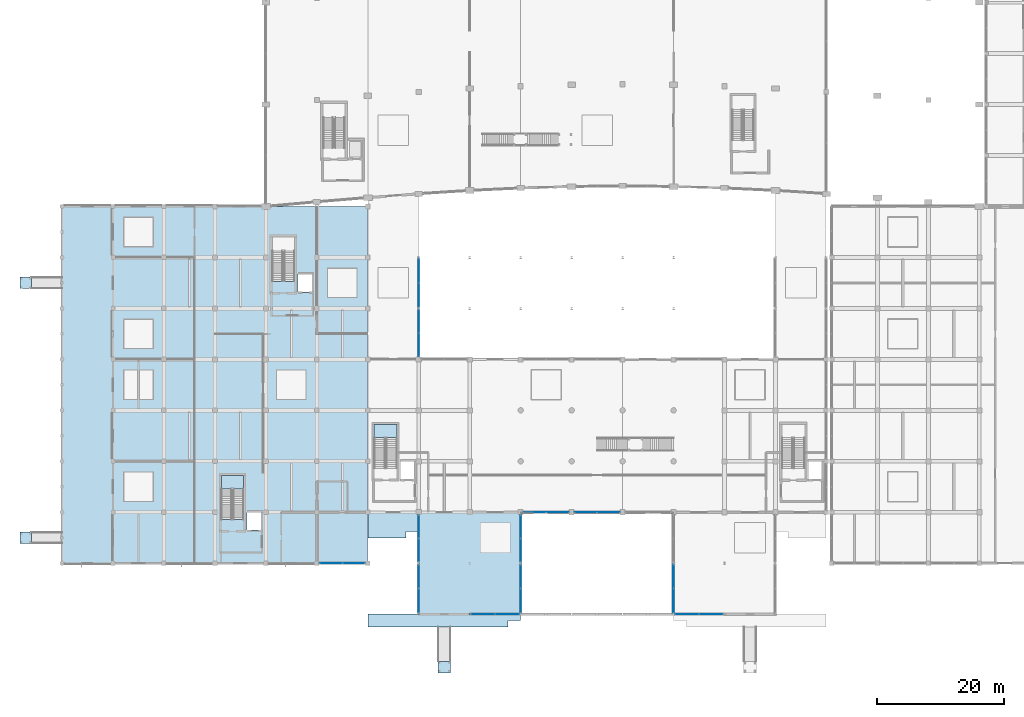
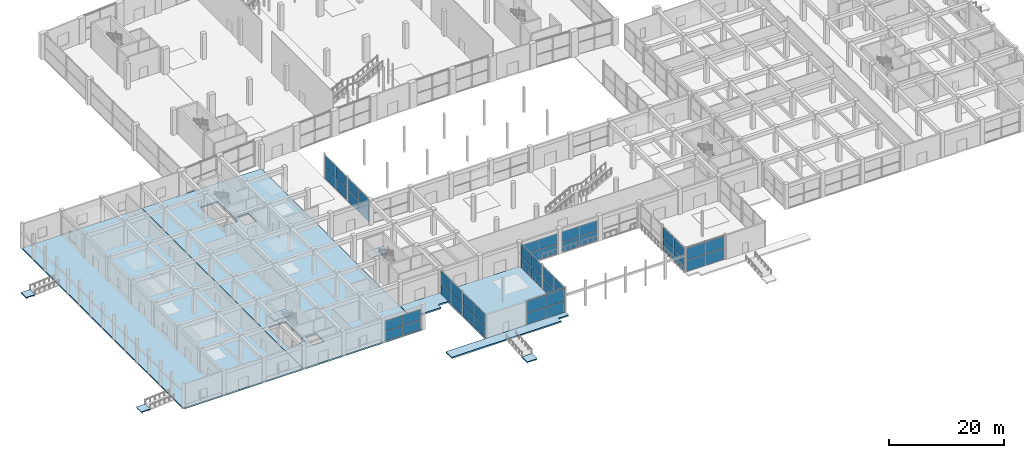
# One storey, part 48 of 86: 48 plates, 10 slabs, 17 elements without a shape of their own.
"""IFC4 building model written with IfcOpenShell, lengths in metres."""

from ifc_helpers import new_model, si_unit, direction, frame, origin, origin_2d, place, context, subcontext, project, spatial, polyline, rectangle, outline, extrude, material, layer, layer_set, type_object, element, aggregate, save


model = new_model("IFC4")

# Units and contexts
model_context = context("Model", 3, precision=1e-05, world=origin(), true_north=direction((0.0, 1.0)))
body_context = subcontext(model_context, "Body", "Model", "MODEL_VIEW")
ifc_project = project(units=[si_unit("LENGTHUNIT", "METRE"), si_unit("AREAUNIT", "SQUARE_METRE"), si_unit("VOLUMEUNIT", "CUBIC_METRE"), si_unit("PLANEANGLEUNIT", "RADIAN"), si_unit("MASSUNIT", "GRAM", prefix="KILO")], contexts=[model_context])

# Site, building, storey
site_placement = place(None, origin())
site = spatial("IfcSite", under=ifc_project, at=site_placement, CompositionType="ELEMENT")
building_placement = place(site_placement, origin())
building = spatial("IfcBuilding", under=site, at=building_placement, Name="Kenh Van Central Station", CompositionType="ELEMENT")
storey_placement = place(building_placement, origin())
storey = spatial("IfcBuildingStorey", under=building, at=storey_placement, Name="L00", CompositionType="ELEMENT", Elevation=0.0)

# Curtain wall, plates
ifc_material_1 = material(Name="Champagne anodised aluminium", Category="aluminium")
curtain_wall_type_1 = type_object("IfcCurtainWallType", Name="CW-RETL-B", PredefinedType="NOTDEFINED", material=ifc_material_1)
curtain_wall_1_placement = place(storey_placement, origin())
curtain_wall_1 = element("IfcCurtainWall", 1, at=curtain_wall_1_placement, inside=storey, type_object=curtain_wall_type_1, Name="L00 curtain wall 048", PredefinedType="NOTDEFINED")
ifc_material_2 = material(Name="Double-glazed low-E laminated solar glass", Category="glass")
ifc_layer_1 = layer(ifc_material_2, 0.02392578125, Name="Double-glazed low-E laminated solar glass")
ifc_layer_set_1 = layer_set([ifc_layer_1], Name="Double-glazed low-E laminated solar glass")
plate_type_1 = type_object("IfcPlateType", Name="CWP-IGU-24", PredefinedType="CURTAIN_PANEL", material=ifc_layer_set_1)
plate_1_placement = place(storey_placement, frame((42.208740234375, 8.0, 0.072021484375), z_axis=(0.0, 0.0, 1.0), x_axis=(1.0, 0.0, 0.0)))
plate_1 = element("IfcPlate", 2, at=plate_1_placement, type_object=plate_type_1, Name="CW-06 panel 1.1", PredefinedType="CURTAIN_PANEL", context=body_context, shape_type="SweptSolid", body=[
    extrude(rectangle(XDim=3.49755859375, YDim=0.02392578125, at=origin_2d()), origin(), (0.0, 0.0, 1.0), 2.013671875),
])
plate_2_placement = place(storey_placement, frame((42.208740234375, 8.0, 2.157470703125), z_axis=(0.0, 0.0, 1.0), x_axis=(1.0, 0.0, 0.0)))
plate_2 = element("IfcPlate", 3, at=plate_2_placement, type_object=plate_type_1, Name="CW-06 panel 1.2", PredefinedType="CURTAIN_PANEL", context=body_context, shape_type="SweptSolid", body=[
    extrude(rectangle(XDim=3.49755859375, YDim=0.02392578125, at=origin_2d()), origin(), (0.0, 0.0, 1.0), 2.1904296875),
])
plate_3_placement = place(storey_placement, frame((45.791259765625, 8.0, 0.072021484375), z_axis=(0.0, 0.0, 1.0), x_axis=(1.0, 0.0, 0.0)))
plate_3 = element("IfcPlate", 4, at=plate_3_placement, type_object=plate_type_1, Name="CW-06 panel 2.1", PredefinedType="CURTAIN_PANEL", context=body_context, shape_type="SweptSolid", body=[
    extrude(rectangle(XDim=3.49755859375, YDim=0.02392578125, at=origin_2d()), origin(), (0.0, 0.0, 1.0), 2.013671875),
])
plate_4_placement = place(storey_placement, frame((45.791259765625, 8.0, 2.157470703125), z_axis=(0.0, 0.0, 1.0), x_axis=(1.0, 0.0, 0.0)))
plate_4 = element("IfcPlate", 5, at=plate_4_placement, type_object=plate_type_1, Name="CW-06 panel 2.2", PredefinedType="CURTAIN_PANEL", context=body_context, shape_type="SweptSolid", body=[
    extrude(rectangle(XDim=3.49755859375, YDim=0.02392578125, at=origin_2d()), origin(), (0.0, 0.0, 1.0), 2.1904296875),
])
aggregate(curtain_wall_1, [plate_1, plate_2, plate_3, plate_4])

curtain_wall_type_2 = type_object("IfcCurtainWallType", Name="CW-RETL-A", PredefinedType="NOTDEFINED", material=ifc_material_1)
curtain_wall_2_placement = place(storey_placement, origin())
curtain_wall_2 = element("IfcCurtainWall", 6, at=curtain_wall_2_placement, inside=storey, type_object=curtain_wall_type_2, Name="L00 curtain wall 038", PredefinedType="NOTDEFINED")
ifc_layer_2 = layer(ifc_material_2, 0.02587890625, Name="Double-glazed low-E laminated solar glass")
ifc_layer_set_2 = layer_set([ifc_layer_2], Name="Double-glazed low-E laminated solar glass")
plate_type_2 = type_object("IfcPlateType", Name="CWP-IGU-26", PredefinedType="CURTAIN_PANEL", material=ifc_layer_set_2)
plate_5_placement = place(storey_placement, frame((66.110107421875, 0.0, 0.07177734375), z_axis=(0.0, 0.0, 1.0), x_axis=(1.0, 0.0, 0.0)))
plate_5 = element("IfcPlate", 7, at=plate_5_placement, type_object=plate_type_2, Name="CW-05 panel 1.1", PredefinedType="CURTAIN_PANEL", context=body_context, shape_type="SweptSolid", body=[
    extrude(rectangle(XDim=3.694580078125, YDim=0.02587890625, at=origin_2d()), origin(), (0.0, 0.0, 1.0), 2.340087890625),
])
plate_6_placement = place(storey_placement, frame((66.110107421875, 0.0, 2.484130859375), z_axis=(0.0, 0.0, 1.0), x_axis=(1.0, 0.0, 0.0)))
plate_6 = element("IfcPlate", 8, at=plate_6_placement, type_object=plate_type_2, Name="CW-05 panel 1.2", PredefinedType="CURTAIN_PANEL", context=body_context, shape_type="SweptSolid", body=[
    extrude(rectangle(XDim=3.694580078125, YDim=0.02587890625, at=origin_2d()), origin(), (0.0, 0.0, 1.0), 2.5439453125),
])
plate_7_placement = place(storey_placement, frame((69.889892578125, 0.0, 0.07177734375), z_axis=(0.0, 0.0, 1.0), x_axis=(1.0, 0.0, 0.0)))
plate_7 = element("IfcPlate", 9, at=plate_7_placement, type_object=plate_type_2, Name="CW-05 panel 2.1", PredefinedType="CURTAIN_PANEL", context=body_context, shape_type="SweptSolid", body=[
    extrude(rectangle(XDim=3.694580078125, YDim=0.02587890625, at=origin_2d()), origin(), (0.0, 0.0, 1.0), 2.340087890625),
])
plate_8_placement = place(storey_placement, frame((69.889892578125, 0.0, 2.484130859375), z_axis=(0.0, 0.0, 1.0), x_axis=(1.0, 0.0, 0.0)))
plate_8 = element("IfcPlate", 10, at=plate_8_placement, type_object=plate_type_2, Name="CW-05 panel 2.2", PredefinedType="CURTAIN_PANEL", context=body_context, shape_type="SweptSolid", body=[
    extrude(rectangle(XDim=3.694580078125, YDim=0.02587890625, at=origin_2d()), origin(), (0.0, 0.0, 1.0), 2.5439453125),
])
aggregate(curtain_wall_2, [plate_5, plate_6, plate_7, plate_8])

curtain_wall_3_placement = place(storey_placement, origin())
curtain_wall_3 = element("IfcCurtainWall", 11, at=curtain_wall_3_placement, inside=storey, type_object=curtain_wall_type_2, Name="L00 curtain wall 039", PredefinedType="NOTDEFINED")
plate_9_placement = place(storey_placement, frame((56.0, 13.71630859375, 0.07177734375), z_axis=(0.0, 0.0, 1.0), x_axis=(0.0, -1.0, 0.0)))
plate_9 = element("IfcPlate", 12, at=plate_9_placement, type_object=plate_type_2, Name="CW-05 panel 1.1", PredefinedType="CURTAIN_PANEL", context=body_context, shape_type="SweptSolid", body=[
    extrude(rectangle(XDim=3.597412109375, YDim=0.02587890625, at=origin_2d()), origin(), (0.0, 0.0, 1.0), 2.340087890625),
])
plate_10_placement = place(storey_placement, frame((56.0, 13.71630859375, 2.484130859375), z_axis=(0.0, 0.0, 1.0), x_axis=(0.0, -1.0, 0.0)))
plate_10 = element("IfcPlate", 13, at=plate_10_placement, type_object=plate_type_2, Name="CW-05 panel 1.2", PredefinedType="CURTAIN_PANEL", context=body_context, shape_type="SweptSolid", body=[
    extrude(rectangle(XDim=3.597412109375, YDim=0.02587890625, at=origin_2d()), origin(), (0.0, 0.0, 1.0), 2.5439453125),
])
plate_11_placement = place(storey_placement, frame((56.0, 10.03369140625, 0.07177734375), z_axis=(0.0, 0.0, 1.0), x_axis=(0.0, -1.0, 0.0)))
plate_11 = element("IfcPlate", 14, at=plate_11_placement, type_object=plate_type_2, Name="CW-05 panel 2.1", PredefinedType="CURTAIN_PANEL", context=body_context, shape_type="SweptSolid", body=[
    extrude(rectangle(XDim=3.597412109375, YDim=0.02587890625, at=origin_2d()), origin(), (0.0, 0.0, 1.0), 2.340087890625),
])
plate_12_placement = place(storey_placement, frame((56.0, 10.03369140625, 2.484130859375), z_axis=(0.0, 0.0, 1.0), x_axis=(0.0, -1.0, 0.0)))
plate_12 = element("IfcPlate", 15, at=plate_12_placement, type_object=plate_type_2, Name="CW-05 panel 2.2", PredefinedType="CURTAIN_PANEL", context=body_context, shape_type="SweptSolid", body=[
    extrude(rectangle(XDim=3.597412109375, YDim=0.02587890625, at=origin_2d()), origin(), (0.0, 0.0, 1.0), 2.5439453125),
])
aggregate(curtain_wall_3, [plate_9, plate_10, plate_11, plate_12])

curtain_wall_4_placement = place(storey_placement, origin())
curtain_wall_4 = element("IfcCurtainWall", 16, at=curtain_wall_4_placement, inside=storey, type_object=curtain_wall_type_2, Name="L00 curtain wall 040", PredefinedType="NOTDEFINED")
plate_13_placement = place(storey_placement, frame((56.0, 5.91064453125, 0.07177734375), z_axis=(0.0, 0.0, 1.0), x_axis=(0.0, -1.0, 0.0)))
plate_13 = element("IfcPlate", 17, at=plate_13_placement, type_object=plate_type_2, Name="CW-05 panel 1.1", PredefinedType="CURTAIN_PANEL", context=body_context, shape_type="SweptSolid", body=[
    extrude(rectangle(XDim=3.70849609375, YDim=0.02587890625, at=origin_2d()), origin(), (0.0, 0.0, 1.0), 2.340087890625),
])
plate_14_placement = place(storey_placement, frame((56.0, 5.91064453125, 2.484130859375), z_axis=(0.0, 0.0, 1.0), x_axis=(0.0, -1.0, 0.0)))
plate_14 = element("IfcPlate", 18, at=plate_14_placement, type_object=plate_type_2, Name="CW-05 panel 1.2", PredefinedType="CURTAIN_PANEL", context=body_context, shape_type="SweptSolid", body=[
    extrude(rectangle(XDim=3.70849609375, YDim=0.02587890625, at=origin_2d()), origin(), (0.0, 0.0, 1.0), 2.5439453125),
])
plate_15_placement = place(storey_placement, frame((56.0, 2.1171875, 0.07177734375), z_axis=(0.0, 0.0, 1.0), x_axis=(0.0, -1.0, 0.0)))
plate_15 = element("IfcPlate", 19, at=plate_15_placement, type_object=plate_type_2, Name="CW-05 panel 2.1", PredefinedType="CURTAIN_PANEL", context=body_context, shape_type="SweptSolid", body=[
    extrude(rectangle(XDim=3.70849609375, YDim=0.02587890625, at=origin_2d()), origin(), (0.0, 0.0, 1.0), 2.340087890625),
])
plate_16_placement = place(storey_placement, frame((56.0, 2.1171875, 2.484130859375), z_axis=(0.0, 0.0, 1.0), x_axis=(0.0, -1.0, 0.0)))
plate_16 = element("IfcPlate", 20, at=plate_16_placement, type_object=plate_type_2, Name="CW-05 panel 2.2", PredefinedType="CURTAIN_PANEL", context=body_context, shape_type="SweptSolid", body=[
    extrude(rectangle(XDim=3.70849609375, YDim=0.02587890625, at=origin_2d()), origin(), (0.0, 0.0, 1.0), 2.5439453125),
])
aggregate(curtain_wall_4, [plate_13, plate_14, plate_15, plate_16])

curtain_wall_5_placement = place(storey_placement, origin())
curtain_wall_5 = element("IfcCurtainWall", 21, at=curtain_wall_5_placement, inside=storey, type_object=curtain_wall_type_2, Name="L00 curtain wall 041", PredefinedType="NOTDEFINED")
plate_17_placement = place(storey_placement, frame((72.0, 2.1171875, 0.07177734375), z_axis=(0.0, 0.0, 1.0), x_axis=(0.0, 1.0, 0.0)))
plate_17 = element("IfcPlate", 22, at=plate_17_placement, type_object=plate_type_2, Name="CW-05 panel 1.1", PredefinedType="CURTAIN_PANEL", context=body_context, shape_type="SweptSolid", body=[
    extrude(rectangle(XDim=3.70849609375, YDim=0.02587890625, at=origin_2d()), origin(), (0.0, 0.0, 1.0), 2.340087890625),
])
plate_18_placement = place(storey_placement, frame((72.0, 2.1171875, 2.484130859375), z_axis=(0.0, 0.0, 1.0), x_axis=(0.0, 1.0, 0.0)))
plate_18 = element("IfcPlate", 23, at=plate_18_placement, type_object=plate_type_2, Name="CW-05 panel 1.2", PredefinedType="CURTAIN_PANEL", context=body_context, shape_type="SweptSolid", body=[
    extrude(rectangle(XDim=3.70849609375, YDim=0.02587890625, at=origin_2d()), origin(), (0.0, 0.0, 1.0), 2.5439453125),
])
plate_19_placement = place(storey_placement, frame((72.0, 5.91064453125, 0.07177734375), z_axis=(0.0, 0.0, 1.0), x_axis=(0.0, 1.0, 0.0)))
plate_19 = element("IfcPlate", 24, at=plate_19_placement, type_object=plate_type_2, Name="CW-05 panel 2.1", PredefinedType="CURTAIN_PANEL", context=body_context, shape_type="SweptSolid", body=[
    extrude(rectangle(XDim=3.70849609375, YDim=0.02587890625, at=origin_2d()), origin(), (0.0, 0.0, 1.0), 2.340087890625),
])
plate_20_placement = place(storey_placement, frame((72.0, 5.91064453125, 2.484130859375), z_axis=(0.0, 0.0, 1.0), x_axis=(0.0, 1.0, 0.0)))
plate_20 = element("IfcPlate", 25, at=plate_20_placement, type_object=plate_type_2, Name="CW-05 panel 2.2", PredefinedType="CURTAIN_PANEL", context=body_context, shape_type="SweptSolid", body=[
    extrude(rectangle(XDim=3.70849609375, YDim=0.02587890625, at=origin_2d()), origin(), (0.0, 0.0, 1.0), 2.5439453125),
])
aggregate(curtain_wall_5, [plate_17, plate_18, plate_19, plate_20])

curtain_wall_6_placement = place(storey_placement, origin())
curtain_wall_6 = element("IfcCurtainWall", 26, at=curtain_wall_6_placement, inside=storey, type_object=curtain_wall_type_2, Name="L00 curtain wall 042", PredefinedType="NOTDEFINED")
plate_21_placement = place(storey_placement, frame((72.0, 10.03369140625, 0.07177734375), z_axis=(0.0, 0.0, 1.0), x_axis=(0.0, 1.0, 0.0)))
plate_21 = element("IfcPlate", 27, at=plate_21_placement, type_object=plate_type_2, Name="CW-05 panel 1.1", PredefinedType="CURTAIN_PANEL", context=body_context, shape_type="SweptSolid", body=[
    extrude(rectangle(XDim=3.597412109375, YDim=0.02587890625, at=origin_2d()), origin(), (0.0, 0.0, 1.0), 2.340087890625),
])
plate_22_placement = place(storey_placement, frame((72.0, 10.03369140625, 2.484130859375), z_axis=(0.0, 0.0, 1.0), x_axis=(0.0, 1.0, 0.0)))
plate_22 = element("IfcPlate", 28, at=plate_22_placement, type_object=plate_type_2, Name="CW-05 panel 1.2", PredefinedType="CURTAIN_PANEL", context=body_context, shape_type="SweptSolid", body=[
    extrude(rectangle(XDim=3.597412109375, YDim=0.02587890625, at=origin_2d()), origin(), (0.0, 0.0, 1.0), 2.5439453125),
])
plate_23_placement = place(storey_placement, frame((72.0, 13.71630859375, 0.07177734375), z_axis=(0.0, 0.0, 1.0), x_axis=(0.0, 1.0, 0.0)))
plate_23 = element("IfcPlate", 29, at=plate_23_placement, type_object=plate_type_2, Name="CW-05 panel 2.1", PredefinedType="CURTAIN_PANEL", context=body_context, shape_type="SweptSolid", body=[
    extrude(rectangle(XDim=3.597412109375, YDim=0.02587890625, at=origin_2d()), origin(), (0.0, 0.0, 1.0), 2.340087890625),
])
plate_24_placement = place(storey_placement, frame((72.0, 13.71630859375, 2.484130859375), z_axis=(0.0, 0.0, 1.0), x_axis=(0.0, 1.0, 0.0)))
plate_24 = element("IfcPlate", 30, at=plate_24_placement, type_object=plate_type_2, Name="CW-05 panel 2.2", PredefinedType="CURTAIN_PANEL", context=body_context, shape_type="SweptSolid", body=[
    extrude(rectangle(XDim=3.597412109375, YDim=0.02587890625, at=origin_2d()), origin(), (0.0, 0.0, 1.0), 2.5439453125),
])
aggregate(curtain_wall_6, [plate_21, plate_22, plate_23, plate_24])

curtain_wall_7_placement = place(storey_placement, origin())
curtain_wall_7 = element("IfcCurtainWall", 31, at=curtain_wall_7_placement, inside=storey, type_object=curtain_wall_type_2, Name="L00 curtain wall 043", PredefinedType="NOTDEFINED")
plate_25_placement = place(storey_placement, frame((98.110107421875, 0.0, 0.07177734375), z_axis=(0.0, 0.0, 1.0), x_axis=(1.0, 0.0, 0.0)))
plate_25 = element("IfcPlate", 32, at=plate_25_placement, type_object=plate_type_2, Name="CW-05 panel 1.1", PredefinedType="CURTAIN_PANEL", context=body_context, shape_type="SweptSolid", body=[
    extrude(rectangle(XDim=3.694580078125, YDim=0.02587890625, at=origin_2d()), origin(), (0.0, 0.0, 1.0), 2.340087890625),
])
plate_26_placement = place(storey_placement, frame((98.110107421875, 0.0, 2.484130859375), z_axis=(0.0, 0.0, 1.0), x_axis=(1.0, 0.0, 0.0)))
plate_26 = element("IfcPlate", 33, at=plate_26_placement, type_object=plate_type_2, Name="CW-05 panel 1.2", PredefinedType="CURTAIN_PANEL", context=body_context, shape_type="SweptSolid", body=[
    extrude(rectangle(XDim=3.694580078125, YDim=0.02587890625, at=origin_2d()), origin(), (0.0, 0.0, 1.0), 2.5439453125),
])
plate_27_placement = place(storey_placement, frame((101.889892578125, 0.0, 0.07177734375), z_axis=(0.0, 0.0, 1.0), x_axis=(1.0, 0.0, 0.0)))
plate_27 = element("IfcPlate", 34, at=plate_27_placement, type_object=plate_type_2, Name="CW-05 panel 2.1", PredefinedType="CURTAIN_PANEL", context=body_context, shape_type="SweptSolid", body=[
    extrude(rectangle(XDim=3.694580078125, YDim=0.02587890625, at=origin_2d()), origin(), (0.0, 0.0, 1.0), 2.340087890625),
])
plate_28_placement = place(storey_placement, frame((101.889892578125, 0.0, 2.484130859375), z_axis=(0.0, 0.0, 1.0), x_axis=(1.0, 0.0, 0.0)))
plate_28 = element("IfcPlate", 35, at=plate_28_placement, type_object=plate_type_2, Name="CW-05 panel 2.2", PredefinedType="CURTAIN_PANEL", context=body_context, shape_type="SweptSolid", body=[
    extrude(rectangle(XDim=3.694580078125, YDim=0.02587890625, at=origin_2d()), origin(), (0.0, 0.0, 1.0), 2.5439453125),
])
aggregate(curtain_wall_7, [plate_25, plate_26, plate_27, plate_28])

curtain_wall_8_placement = place(storey_placement, origin())
curtain_wall_8 = element("IfcCurtainWall", 36, at=curtain_wall_8_placement, inside=storey, type_object=curtain_wall_type_2, Name="L00 curtain wall 045", PredefinedType="NOTDEFINED")
plate_29_placement = place(storey_placement, frame((96.0, 5.91064453125, 0.07177734375), z_axis=(0.0, 0.0, 1.0), x_axis=(0.0, -1.0, 0.0)))
plate_29 = element("IfcPlate", 37, at=plate_29_placement, type_object=plate_type_2, Name="CW-05 panel 1.1", PredefinedType="CURTAIN_PANEL", context=body_context, shape_type="SweptSolid", body=[
    extrude(rectangle(XDim=3.70849609375, YDim=0.02587890625, at=origin_2d()), origin(), (0.0, 0.0, 1.0), 2.340087890625),
])
plate_30_placement = place(storey_placement, frame((96.0, 5.91064453125, 2.484130859375), z_axis=(0.0, 0.0, 1.0), x_axis=(0.0, -1.0, 0.0)))
plate_30 = element("IfcPlate", 38, at=plate_30_placement, type_object=plate_type_2, Name="CW-05 panel 1.2", PredefinedType="CURTAIN_PANEL", context=body_context, shape_type="SweptSolid", body=[
    extrude(rectangle(XDim=3.70849609375, YDim=0.02587890625, at=origin_2d()), origin(), (0.0, 0.0, 1.0), 2.5439453125),
])
plate_31_placement = place(storey_placement, frame((96.0, 2.1171875, 0.07177734375), z_axis=(0.0, 0.0, 1.0), x_axis=(0.0, -1.0, 0.0)))
plate_31 = element("IfcPlate", 39, at=plate_31_placement, type_object=plate_type_2, Name="CW-05 panel 2.1", PredefinedType="CURTAIN_PANEL", context=body_context, shape_type="SweptSolid", body=[
    extrude(rectangle(XDim=3.70849609375, YDim=0.02587890625, at=origin_2d()), origin(), (0.0, 0.0, 1.0), 2.340087890625),
])
plate_32_placement = place(storey_placement, frame((96.0, 2.1171875, 2.484130859375), z_axis=(0.0, 0.0, 1.0), x_axis=(0.0, -1.0, 0.0)))
plate_32 = element("IfcPlate", 40, at=plate_32_placement, type_object=plate_type_2, Name="CW-05 panel 2.2", PredefinedType="CURTAIN_PANEL", context=body_context, shape_type="SweptSolid", body=[
    extrude(rectangle(XDim=3.70849609375, YDim=0.02587890625, at=origin_2d()), origin(), (0.0, 0.0, 1.0), 2.5439453125),
])
aggregate(curtain_wall_8, [plate_29, plate_30, plate_31, plate_32])

curtain_wall_type_3 = type_object("IfcCurtainWallType", Name="CW-CONC-B", PredefinedType="NOTDEFINED", material=ifc_material_1)
curtain_wall_9_placement = place(storey_placement, origin())
curtain_wall_9 = element("IfcCurtainWall", 41, at=curtain_wall_9_placement, inside=storey, type_object=curtain_wall_type_3, Name="L00 curtain wall 029", PredefinedType="NOTDEFINED")
ifc_layer_3 = layer(ifc_material_2, 0.028076171875, Name="Double-glazed low-E laminated solar glass")
ifc_layer_set_3 = layer_set([ifc_layer_3], Name="Double-glazed low-E laminated solar glass")
plate_type_3 = type_object("IfcPlateType", Name="CWP-IGU-28", PredefinedType="CURTAIN_PANEL", material=ifc_layer_set_3)
plate_33_placement = place(storey_placement, frame((56.0, 42.282958984375, 0.07177734375), z_axis=(0.0, 0.0, 1.0), x_axis=(0.0, 1.0, 0.0)))
plate_33 = element("IfcPlate", 42, at=plate_33_placement, type_object=plate_type_3, Name="CW-04 panel 1.1", PredefinedType="CURTAIN_PANEL", context=body_context, shape_type="SweptSolid", body=[
    extrude(rectangle(XDim=3.60205078125, YDim=0.028076171875, at=origin_2d()), origin(), (0.0, 0.0, 1.0), 2.340087890625),
])
plate_34_placement = place(storey_placement, frame((56.0, 42.282958984375, 2.484130859375), z_axis=(0.0, 0.0, 1.0), x_axis=(0.0, 1.0, 0.0)))
plate_34 = element("IfcPlate", 43, at=plate_34_placement, type_object=plate_type_3, Name="CW-04 panel 1.2", PredefinedType="CURTAIN_PANEL", context=body_context, shape_type="SweptSolid", body=[
    extrude(rectangle(XDim=3.60205078125, YDim=0.028076171875, at=origin_2d()), origin(), (0.0, 0.0, 1.0), 2.5439453125),
])
plate_35_placement = place(storey_placement, frame((56.0, 45.967041015625, 0.07177734375), z_axis=(0.0, 0.0, 1.0), x_axis=(0.0, 1.0, 0.0)))
plate_35 = element("IfcPlate", 44, at=plate_35_placement, type_object=plate_type_3, Name="CW-04 panel 2.1", PredefinedType="CURTAIN_PANEL", context=body_context, shape_type="SweptSolid", body=[
    extrude(rectangle(XDim=3.60205078125, YDim=0.028076171875, at=origin_2d()), origin(), (0.0, 0.0, 1.0), 2.340087890625),
])
plate_36_placement = place(storey_placement, frame((56.0, 45.967041015625, 2.484130859375), z_axis=(0.0, 0.0, 1.0), x_axis=(0.0, 1.0, 0.0)))
plate_36 = element("IfcPlate", 45, at=plate_36_placement, type_object=plate_type_3, Name="CW-04 panel 2.2", PredefinedType="CURTAIN_PANEL", context=body_context, shape_type="SweptSolid", body=[
    extrude(rectangle(XDim=3.60205078125, YDim=0.028076171875, at=origin_2d()), origin(), (0.0, 0.0, 1.0), 2.5439453125),
])
aggregate(curtain_wall_9, [plate_33, plate_34, plate_35, plate_36])

curtain_wall_10_placement = place(storey_placement, origin())
curtain_wall_10 = element("IfcCurtainWall", 46, at=curtain_wall_10_placement, inside=storey, type_object=curtain_wall_type_3, Name="L00 curtain wall 030", PredefinedType="NOTDEFINED")
plate_37_placement = place(storey_placement, frame((56.0, 50.095458984375, 0.07177734375), z_axis=(0.0, 0.0, 1.0), x_axis=(0.0, 1.0, 0.0)))
plate_37 = element("IfcPlate", 47, at=plate_37_placement, type_object=plate_type_3, Name="CW-04 panel 1.1", PredefinedType="CURTAIN_PANEL", context=body_context, shape_type="SweptSolid", body=[
    extrude(rectangle(XDim=3.72705078125, YDim=0.028076171875, at=origin_2d()), origin(), (0.0, 0.0, 1.0), 2.340087890625),
])
plate_38_placement = place(storey_placement, frame((56.0, 50.095458984375, 2.484130859375), z_axis=(0.0, 0.0, 1.0), x_axis=(0.0, 1.0, 0.0)))
plate_38 = element("IfcPlate", 48, at=plate_38_placement, type_object=plate_type_3, Name="CW-04 panel 1.2", PredefinedType="CURTAIN_PANEL", context=body_context, shape_type="SweptSolid", body=[
    extrude(rectangle(XDim=3.72705078125, YDim=0.028076171875, at=origin_2d()), origin(), (0.0, 0.0, 1.0), 2.5439453125),
])
plate_39_placement = place(storey_placement, frame((56.0, 53.904541015625, 0.07177734375), z_axis=(0.0, 0.0, 1.0), x_axis=(0.0, 1.0, 0.0)))
plate_39 = element("IfcPlate", 49, at=plate_39_placement, type_object=plate_type_3, Name="CW-04 panel 2.1", PredefinedType="CURTAIN_PANEL", context=body_context, shape_type="SweptSolid", body=[
    extrude(rectangle(XDim=3.72705078125, YDim=0.028076171875, at=origin_2d()), origin(), (0.0, 0.0, 1.0), 2.340087890625),
])
plate_40_placement = place(storey_placement, frame((56.0, 53.904541015625, 2.484130859375), z_axis=(0.0, 0.0, 1.0), x_axis=(0.0, 1.0, 0.0)))
plate_40 = element("IfcPlate", 50, at=plate_40_placement, type_object=plate_type_3, Name="CW-04 panel 2.2", PredefinedType="CURTAIN_PANEL", context=body_context, shape_type="SweptSolid", body=[
    extrude(rectangle(XDim=3.72705078125, YDim=0.028076171875, at=origin_2d()), origin(), (0.0, 0.0, 1.0), 2.5439453125),
])
aggregate(curtain_wall_10, [plate_37, plate_38, plate_39, plate_40])

curtain_wall_type_4 = type_object("IfcCurtainWallType", Name="CW-CONC-A", PredefinedType="NOTDEFINED", material=ifc_material_1)
curtain_wall_11_placement = place(storey_placement, origin())
curtain_wall_11 = element("IfcCurtainWall", 51, at=curtain_wall_11_placement, inside=storey, type_object=curtain_wall_type_4, Name="L00 curtain wall 022", PredefinedType="NOTDEFINED")
ifc_layer_4 = layer(ifc_material_2, 0.030029296875, Name="Double-glazed low-E laminated solar glass")
ifc_layer_set_4 = layer_set([ifc_layer_4], Name="Double-glazed low-E laminated solar glass")
plate_type_4 = type_object("IfcPlateType", Name="CWP-IGU-30", PredefinedType="CURTAIN_PANEL", material=ifc_layer_set_4)
plate_41_placement = place(storey_placement, frame((74.220458984375, 16.0, 0.072021484375), z_axis=(0.0, 0.0, 1.0), x_axis=(1.0, 0.0, 0.0)))
plate_41 = element("IfcPlate", 52, at=plate_41_placement, type_object=plate_type_4, Name="CW-03 panel 1.1", PredefinedType="CURTAIN_PANEL", context=body_context, shape_type="SweptSolid", body=[
    extrude(rectangle(XDim=3.47705078125, YDim=0.030029296875, at=origin_2d()), origin(), (0.0, 0.0, 1.0), 2.013671875),
])
plate_42_placement = place(storey_placement, frame((74.220458984375, 16.0, 2.157470703125), z_axis=(0.0, 0.0, 1.0), x_axis=(1.0, 0.0, 0.0)))
plate_42 = element("IfcPlate", 53, at=plate_42_placement, type_object=plate_type_4, Name="CW-03 panel 1.2", PredefinedType="CURTAIN_PANEL", context=body_context, shape_type="SweptSolid", body=[
    extrude(rectangle(XDim=3.47705078125, YDim=0.030029296875, at=origin_2d()), origin(), (0.0, 0.0, 1.0), 2.1904296875),
])
plate_43_placement = place(storey_placement, frame((77.779541015625, 16.0, 0.072021484375), z_axis=(0.0, 0.0, 1.0), x_axis=(1.0, 0.0, 0.0)))
plate_43 = element("IfcPlate", 54, at=plate_43_placement, type_object=plate_type_4, Name="CW-03 panel 2.1", PredefinedType="CURTAIN_PANEL", context=body_context, shape_type="SweptSolid", body=[
    extrude(rectangle(XDim=3.47705078125, YDim=0.030029296875, at=origin_2d()), origin(), (0.0, 0.0, 1.0), 2.013671875),
])
plate_44_placement = place(storey_placement, frame((77.779541015625, 16.0, 2.157470703125), z_axis=(0.0, 0.0, 1.0), x_axis=(1.0, 0.0, 0.0)))
plate_44 = element("IfcPlate", 55, at=plate_44_placement, type_object=plate_type_4, Name="CW-03 panel 2.2", PredefinedType="CURTAIN_PANEL", context=body_context, shape_type="SweptSolid", body=[
    extrude(rectangle(XDim=3.47705078125, YDim=0.030029296875, at=origin_2d()), origin(), (0.0, 0.0, 1.0), 2.1904296875),
])
aggregate(curtain_wall_11, [plate_41, plate_42, plate_43, plate_44])

curtain_wall_12_placement = place(storey_placement, origin())
curtain_wall_12 = element("IfcCurtainWall", 56, at=curtain_wall_12_placement, inside=storey, type_object=curtain_wall_type_4, Name="L00 curtain wall 023", PredefinedType="NOTDEFINED")
plate_45_placement = place(storey_placement, frame((82.220458984375, 16.0, 0.072021484375), z_axis=(0.0, 0.0, 1.0), x_axis=(1.0, 0.0, 0.0)))
plate_45 = element("IfcPlate", 57, at=plate_45_placement, type_object=plate_type_4, Name="CW-03 panel 1.1", PredefinedType="CURTAIN_PANEL", context=body_context, shape_type="SweptSolid", body=[
    extrude(rectangle(XDim=3.47705078125, YDim=0.030029296875, at=origin_2d()), origin(), (0.0, 0.0, 1.0), 2.013671875),
])
plate_46_placement = place(storey_placement, frame((82.220458984375, 16.0, 2.157470703125), z_axis=(0.0, 0.0, 1.0), x_axis=(1.0, 0.0, 0.0)))
plate_46 = element("IfcPlate", 58, at=plate_46_placement, type_object=plate_type_4, Name="CW-03 panel 1.2", PredefinedType="CURTAIN_PANEL", context=body_context, shape_type="SweptSolid", body=[
    extrude(rectangle(XDim=3.47705078125, YDim=0.030029296875, at=origin_2d()), origin(), (0.0, 0.0, 1.0), 2.1904296875),
])
plate_47_placement = place(storey_placement, frame((85.779541015625, 16.0, 0.072021484375), z_axis=(0.0, 0.0, 1.0), x_axis=(1.0, 0.0, 0.0)))
plate_47 = element("IfcPlate", 59, at=plate_47_placement, type_object=plate_type_4, Name="CW-03 panel 2.1", PredefinedType="CURTAIN_PANEL", context=body_context, shape_type="SweptSolid", body=[
    extrude(rectangle(XDim=3.47705078125, YDim=0.030029296875, at=origin_2d()), origin(), (0.0, 0.0, 1.0), 2.013671875),
])
plate_48_placement = place(storey_placement, frame((85.779541015625, 16.0, 2.157470703125), z_axis=(0.0, 0.0, 1.0), x_axis=(1.0, 0.0, 0.0)))
plate_48 = element("IfcPlate", 60, at=plate_48_placement, type_object=plate_type_4, Name="CW-03 panel 2.2", PredefinedType="CURTAIN_PANEL", context=body_context, shape_type="SweptSolid", body=[
    extrude(rectangle(XDim=3.47705078125, YDim=0.030029296875, at=origin_2d()), origin(), (0.0, 0.0, 1.0), 2.1904296875),
])
aggregate(curtain_wall_12, [plate_45, plate_46, plate_47, plate_48])

# Slabs
ifc_material_3 = material(Name="Concrete C35/45", Category="concrete")
ifc_layer_5 = layer(ifc_material_3, 0.300048828125, Name="Concrete C35/45")
ifc_layer_set_5 = layer_set([ifc_layer_5], Name="Concrete C35/45")
slab_type_1 = type_object("IfcSlabType", Name="SLB-FLR-300", PredefinedType="FLOOR", material=ifc_layer_set_5)
slab_1_placement = place(storey_placement, frame((0.0, 0.0, -0.300048828125)))
element("IfcSlab", 61, at=slab_1_placement, inside=storey, type_object=slab_type_1, Name="L00 slab SLB-L00-WA", PredefinedType="FLOOR", context=body_context, shape_type="SweptSolid", body=[
    extrude(outline(polyline([(0.300048828125, 8.0), (24.0, 8.0), (24.0, 64.0), (0.0, 64.0), (0.0, 8.300048828125), (0.300048828125, 8.0)])), origin(), (0.0, 0.0, 1.0), 0.300048828125),
])
slab_2_placement = place(storey_placement, frame((0.0, 0.0, -0.300048828125)))
element("IfcSlab", 62, at=slab_2_placement, inside=storey, type_object=slab_type_1, Name="L00 slab SLB-L00-WB", PredefinedType="FLOOR", context=body_context, shape_type="SweptSolid", body=[
    extrude(outline(polyline([(24.0, 8.0), (47.96240234375, 8.0), (47.96240234375, 64.0), (24.0, 64.0), (24.0, 8.0)]), holes=[polyline([(39.25, 50.60009765625), (37.050048828125, 50.60009765625), (37.050048828125, 53.39990234375), (39.25, 53.39990234375), (39.25, 50.60009765625)]), polyline([(36.5, 52.264892578125), (33.0, 52.264892578125), (33.0, 59.199951171875), (36.5, 59.199951171875), (36.5, 52.264892578125)]), polyline([(31.25, 16.0), (31.25, 13.199951171875), (29.050048828125, 13.199951171875), (29.050048828125, 16.0), (31.25, 16.0)]), polyline([(28.5, 14.864990234375), (25.0, 14.864990234375), (25.0, 21.800048828125), (28.5, 21.800048828125), (28.5, 14.864990234375)])]), origin(), (0.0, 0.0, 1.0), 0.300048828125),
])
slab_3_placement = place(storey_placement, frame((0.0, 0.0, -0.300048828125)))
element("IfcSlab", 63, at=slab_3_placement, inside=storey, type_object=slab_type_1, Name="L00 slab SLB-L00-APRS", PredefinedType="FLOOR", context=body_context, shape_type="SweptSolid", body=[
    extrude(outline(polyline([(70.0, -2.0), (70.0, -1.0), (72.0, -1.0), (72.0, 0.0), (48.03759765625, 0.0), (48.03759765625, -2.0), (70.0, -2.0)])), origin(), (0.0, 0.0, 1.0), 0.300048828125),
])
slab_4_placement = place(storey_placement, frame((0.0, 0.0, -0.300048828125)))
element("IfcSlab", 64, at=slab_4_placement, inside=storey, type_object=slab_type_1, Name="L00 slab SLB-L00-APRC", PredefinedType="FLOOR", context=body_context, shape_type="SweptSolid", body=[
    extrude(outline(polyline([(54.0, 12.0), (54.0, 13.0), (56.0, 13.0), (56.0, 16.0), (48.03759765625, 16.0), (48.03759765625, 12.0), (54.0, 12.0)])), origin(), (0.0, 0.0, 1.0), 0.300048828125),
])
ifc_material_4 = material(Name="Concrete C40/50", Category="concrete")
ifc_layer_6 = layer(ifc_material_4, 0.340087890625, Name="Concrete C40/50")
ifc_layer_set_6 = layer_set([ifc_layer_6], Name="Concrete C40/50")
slab_type_2 = type_object("IfcSlabType", Name="SLB-FLR-340", PredefinedType="FLOOR", material=ifc_layer_set_6)
slab_5_placement = place(storey_placement, frame((0.0, 0.0, -0.340087890625)))
element("IfcSlab", 65, at=slab_5_placement, inside=storey, type_object=slab_type_2, Name="L00 slab SLB-L00-FW", PredefinedType="FLOOR", context=body_context, shape_type="SweptSolid", body=[
    extrude(outline(polyline([(56.300048828125, 0.0), (72.0, 0.0), (72.0, 16.0), (56.0, 16.0), (56.0, 0.300048828125), (56.300048828125, 0.0)])), origin(), (0.0, 0.0, 1.0), 0.340087890625),
])

# Ramp, slab
ramp_type_1 = type_object("IfcRampType", Name="RMP-ACC-2000", PredefinedType="STRAIGHT_RUN_RAMP", material=ifc_material_4)
ramp_1_placement = place(storey_placement, origin())
ramp_1 = element("IfcRamp", 66, at=ramp_1_placement, inside=storey, type_object=ramp_type_1, Name="Forecourt West Drop-Off Accessible Ramp", PredefinedType="STRAIGHT_RUN_RAMP")
ifc_layer_7 = layer(ifc_material_4, 0.175048828125, Name="Concrete C40/50")
ifc_layer_set_7 = layer_set([ifc_layer_7], Name="Concrete C40/50")
slab_type_3 = type_object("IfcSlabType", Name="SLB-LAND-175", PredefinedType="LANDING", material=ifc_layer_set_7)
slab_6_placement = place(storey_placement, frame((0.0, 0.0, -0.625)))
slab_6 = element("IfcSlab", 67, at=slab_6_placement, type_object=slab_type_3, Name="Forecourt West Drop-Off Accessible Ramp bottom landing", PredefinedType="LANDING", context=body_context, shape_type="SweptSolid", body=[
    extrude(outline(polyline([(61.0, -9.199951171875), (61.0, -7.39990234375), (59.0, -7.39990234375), (59.0, -9.199951171875), (61.0, -9.199951171875)])), origin(), (0.0, 0.0, 1.0), 0.175048828125),
])
aggregate(ramp_1, [slab_6])

ramp_type_2 = type_object("IfcRampType", Name="RMP-ACC-1800", PredefinedType="STRAIGHT_RUN_RAMP", material=ifc_material_4)
ramp_2_placement = place(storey_placement, origin())
ramp_2 = element("IfcRamp", 68, at=ramp_2_placement, inside=storey, type_object=ramp_type_2, Name="West Street Arcade South Accessible Ramp", PredefinedType="STRAIGHT_RUN_RAMP")
slab_7_placement = place(storey_placement, frame((0.0, 0.0, -0.574951171875)))
slab_7 = element("IfcSlab", 69, at=slab_7_placement, type_object=slab_type_3, Name="West Street Arcade South Accessible Ramp bottom landing", PredefinedType="LANDING", context=body_context, shape_type="SweptSolid", body=[
    extrude(outline(polyline([(-6.60009765625, 11.10009765625), (-4.800048828125, 11.10009765625), (-4.800048828125, 12.89990234375), (-6.60009765625, 12.89990234375), (-6.60009765625, 11.10009765625)])), origin(), (0.0, 0.0, 1.0), 0.175048828125),
])
aggregate(ramp_2, [slab_7])

ramp_3_placement = place(storey_placement, origin())
ramp_3 = element("IfcRamp", 70, at=ramp_3_placement, inside=storey, type_object=ramp_type_2, Name="West Street Arcade North Accessible Ramp", PredefinedType="STRAIGHT_RUN_RAMP")
slab_8_placement = place(storey_placement, frame((0.0, 0.0, -0.574951171875)))
slab_8 = element("IfcSlab", 71, at=slab_8_placement, type_object=slab_type_3, Name="West Street Arcade North Accessible Ramp bottom landing", PredefinedType="LANDING", context=body_context, shape_type="SweptSolid", body=[
    extrude(outline(polyline([(-6.60009765625, 51.10009765625), (-4.800048828125, 51.10009765625), (-4.800048828125, 52.89990234375), (-6.60009765625, 52.89990234375), (-6.60009765625, 51.10009765625)])), origin(), (0.0, 0.0, 1.0), 0.175048828125),
])
aggregate(ramp_3, [slab_8])

# Stair, slab
stair_type_1 = type_object("IfcStairType", Name="STR-DLG-1650", PredefinedType="HALF_TURN_STAIR", material=ifc_material_3)
stair_1_placement = place(storey_placement, origin())
stair_1 = element("IfcStair", 72, at=stair_1_placement, inside=storey, type_object=stair_type_1, Name="L00 West Retail South Exit Core", PredefinedType="HALF_TURN_STAIR")
ifc_layer_8 = layer(ifc_material_3, 0.199951171875, Name="Concrete C35/45")
ifc_layer_set_8 = layer_set([ifc_layer_8], Name="Concrete C35/45")
slab_type_4 = type_object("IfcSlabType", Name="SLB-LAND-200", PredefinedType="LANDING", material=ifc_layer_set_8)
slab_9_placement = place(storey_placement, frame((0.0, 0.0, 2.5)))
slab_9 = element("IfcSlab", 73, at=slab_9_placement, type_object=slab_type_4, Name="ST-01 landing 1", PredefinedType="LANDING", context=body_context, shape_type="SweptSolid", body=[
    extrude(outline(polyline([(28.5, 19.64990234375), (28.5, 21.800048828125), (25.0, 21.800048828125), (25.0, 19.64990234375), (28.5, 19.64990234375)])), origin(), (0.0, 0.0, 1.0), 0.199951171875),
])
aggregate(stair_1, [slab_9])

stair_type_2 = type_object("IfcStairType", Name="STR-DLG-1700", PredefinedType="HALF_TURN_STAIR", material=ifc_material_3)
stair_2_placement = place(storey_placement, origin())
stair_2 = element("IfcStair", 74, at=stair_2_placement, inside=storey, type_object=stair_type_2, Name="L00 Ticket Hall West Exit Core", PredefinedType="HALF_TURN_STAIR")
slab_10_placement = place(storey_placement, frame((0.0, 0.0, 2.5)))
slab_10 = element("IfcSlab", 75, at=slab_10_placement, type_object=slab_type_4, Name="ST-03 landing 1", PredefinedType="LANDING", context=body_context, shape_type="SweptSolid", body=[
    extrude(outline(polyline([(52.60009765625, 27.699951171875), (52.60009765625, 29.800048828125), (49.0, 29.800048828125), (49.0, 27.699951171875), (52.60009765625, 27.699951171875)])), origin(), (0.0, 0.0, 1.0), 0.199951171875),
])
aggregate(stair_2, [slab_10])

save(model, "model.ifc")
